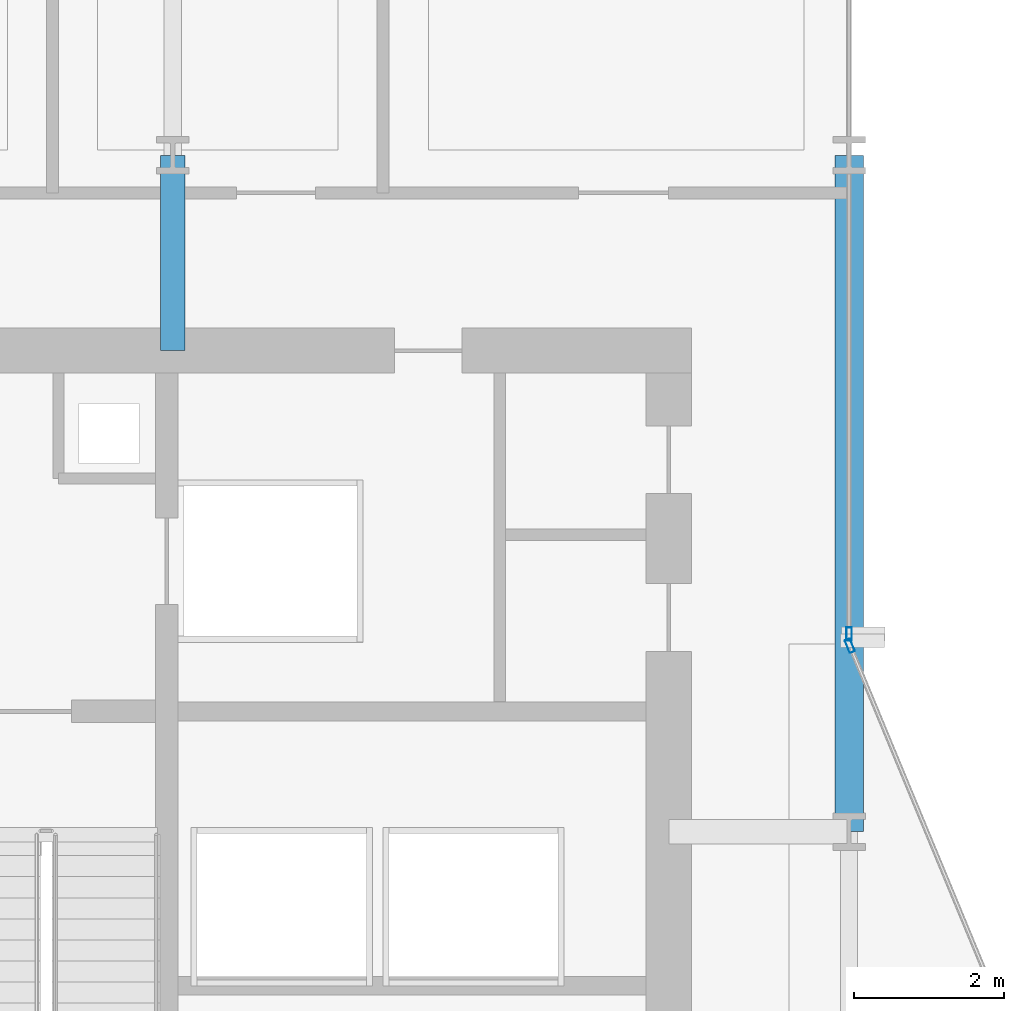
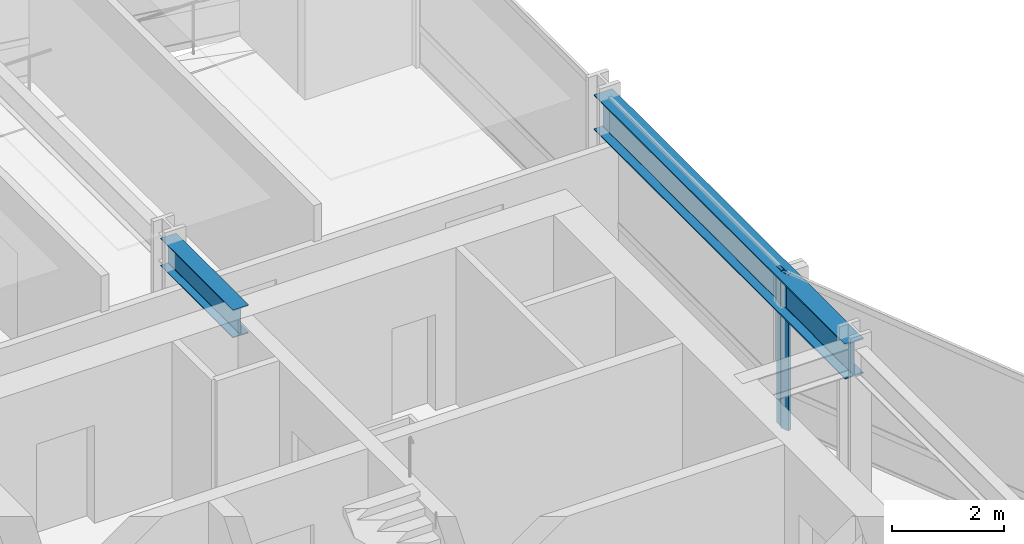
# One storey, part 21 of 34: 2 beams, 2 members, 2 elements without a shape of their own.
"""IFC4 building model written with IfcOpenShell, lengths in metres."""

from ifc_helpers import new_model, si_unit, direction, frame, origin, origin_2d, place, context, subcontext, project, spatial, hollow_rectangle, i_section, extrude, material, layer, layer_set, material_profile, profile_set, type_object, element, aggregate, save


model = new_model("IFC4")

# Units and contexts
model_context = context("Model", 3, precision=1e-05, world=origin(), true_north=direction((0.0, 1.0)))
body_context = subcontext(model_context, "Body", "Model", "MODEL_VIEW")
ifc_project = project(units=[si_unit("LENGTHUNIT", "METRE"), si_unit("AREAUNIT", "SQUARE_METRE"), si_unit("VOLUMEUNIT", "CUBIC_METRE"), si_unit("PLANEANGLEUNIT", "RADIAN"), si_unit("MASSUNIT", "GRAM", prefix="KILO")], contexts=[model_context])

# Site, building, storey
site_placement = place(None, origin())
site = spatial("IfcSite", under=ifc_project, at=site_placement, CompositionType="ELEMENT")
building_placement = place(site_placement, origin())
building = spatial("IfcBuilding", under=site, at=building_placement, Name="Solvaryn Broadcast Tower", CompositionType="ELEMENT")
storey_placement = place(building_placement, frame((0.0, 0.0, 47.10009765625)))
storey = spatial("IfcBuildingStorey", under=building, at=storey_placement, Name="L10", CompositionType="ELEMENT", Elevation=47.10009765625)

# Beams
ifc_material_1 = material(Name="Steel ASTM A992 Grade 50", Category="steel")
ifc_material_profile_1 = material_profile(ifc_material_1, i_section(OverallWidth=0.323974609375, OverallDepth=0.611083984375, WebThickness=0.0126953125, FlangeThickness=0.01904296875, FilletRadius=0.014892578125, at=origin_2d()))
ifc_profile_set_1 = profile_set([ifc_material_profile_1], Name="Steel ASTM A992 Grade 50")
beam_type_1 = type_object("IfcBeamType", Name="BM-B1-W24X104", PredefinedType="BEAM", material=ifc_profile_set_1)
beam_1_placement = place(storey_placement, frame((18.0, 42.39990234375, 3.114501953125), z_axis=(0.0, 1.0, 0.0), x_axis=(-1.0, 0.0, 0.0)))
element("IfcBeam", 1, at=beam_1_placement, inside=storey, type_object=beam_type_1, Name="L10 Core Tie Beam CTW3", PredefinedType="BEAM", context=body_context, shape_type="SweptSolid", body=[
    extrude(i_section(OverallWidth=0.323974609375, OverallDepth=0.611083984375, WebThickness=0.0126953125, FlangeThickness=0.01904296875, FilletRadius=0.014892578125, at=origin_2d()), origin(), (0.0, 0.0, 1.0), 2.60009765625),
])
ifc_material_2 = material(Name="Steel ASTM A992 Grade 50", Category="steel")
ifc_material_profile_2 = material_profile(ifc_material_2, i_section(OverallWidth=0.381103515625, OverallDepth=0.77294921875, WebThickness=0.0166015625, FlangeThickness=0.027099609375, FilletRadius=0.01806640625, at=origin_2d()))
ifc_profile_set_2 = profile_set([ifc_material_profile_2], Name="Steel ASTM A992 Grade 50")
beam_type_2 = type_object("IfcBeamType", Name="BM-SP1-W30X173", PredefinedType="USERDEFINED", material=ifc_profile_set_2)
beam_2_placement = place(storey_placement, frame((27.0, 36.0, 3.033447265625), z_axis=(0.0, 1.0, 0.0), x_axis=(-1.0, 0.0, 0.0)))
element("IfcBeam", 2, at=beam_2_placement, inside=storey, type_object=beam_type_2, Name="L10 Spandrel Beam Y (36-45 @ X=27)", ObjectType="SPANDREL", PredefinedType="USERDEFINED", context=body_context, shape_type="SweptSolid", body=[
    extrude(i_section(OverallWidth=0.381103515625, OverallDepth=0.77294921875, WebThickness=0.0166015625, FlangeThickness=0.027099609375, FilletRadius=0.01806640625, at=origin_2d()), origin(), (0.0, 0.0, 1.0), 9.0),
])

# Curtain wall, member
ifc_material_3 = material(Name="Aluminium and Terracotta Unitised Curtain Wall", Category="masonry")
ifc_layer = layer(ifc_material_3, 0.199951171875)
ifc_layer_set = layer_set([ifc_layer], Name="CW-SYS2-LOWMID")
curtain_wall_type = type_object("IfcCurtainWallType", Name="CW-SYS2-LOWMID", PredefinedType="NOTDEFINED", material=ifc_layer_set)
curtain_wall_1_placement = place(storey_placement, origin())
curtain_wall_1 = element("IfcCurtainWall", 3, at=curtain_wall_1_placement, inside=storey, type_object=curtain_wall_type, Name="L10 Curtain Wall IV", PredefinedType="NOTDEFINED")
ifc_material_4 = material(Name="Anodised Aluminium 6063-T6", Category="aluminium")
ifc_material_profile_3 = material_profile(ifc_material_4, hollow_rectangle(XDim=0.074951171875, YDim=0.179931640625, WallThickness=0.00390625, InnerFilletRadius=0.00390625, OuterFilletRadius=0.008056640625, at=origin_2d()))
ifc_profile_set_3 = profile_set([ifc_material_profile_3], Name="Anodised Aluminium 6063-T6")
member_type = type_object("IfcMemberType", Name="CW-MUL-180", PredefinedType="MULLION", material=ifc_profile_set_3)
member_1_placement = place(storey_placement, frame((27.0, 38.6298828125, 0.0), z_axis=(0.0, 0.0, 1.0), x_axis=(1.0, 0.0, 0.0)))
member_1 = element("IfcMember", 4, at=member_1_placement, type_object=member_type, Name="CWS2 mullion 2", PredefinedType="MULLION", context=body_context, shape_type="SweptSolid", body=[
    extrude(hollow_rectangle(XDim=0.074951171875, YDim=0.179931640625, WallThickness=0.00390625, InnerFilletRadius=0.00390625, OuterFilletRadius=0.008056640625, at=origin_2d()), origin(), (0.0, 0.0, 1.0), 3.419921875),
])
aggregate(curtain_wall_1, [member_1])

curtain_wall_2_placement = place(storey_placement, origin())
curtain_wall_2 = element("IfcCurtainWall", 5, at=curtain_wall_2_placement, inside=storey, type_object=curtain_wall_type, Name="L10 Curtain Wall CN2", PredefinedType="NOTDEFINED")
member_2_placement = place(storey_placement, frame((27.011474609375, 38.47216796875, 0.0), z_axis=(0.0, 0.0, 1.0), x_axis=(-0.923894983957, -0.382646127145, 0.0)))
member_2 = element("IfcMember", 6, at=member_2_placement, type_object=member_type, Name="CWS2 mullion 2", PredefinedType="MULLION", context=body_context, shape_type="SweptSolid", body=[
    extrude(hollow_rectangle(XDim=0.074951171875, YDim=0.179931640625, WallThickness=0.00390625, InnerFilletRadius=0.00390625, OuterFilletRadius=0.008056640625, at=origin_2d()), origin(), (0.0, 0.0, 1.0), 3.419921875),
])
aggregate(curtain_wall_2, [member_2])

save(model, "model.ifc")
